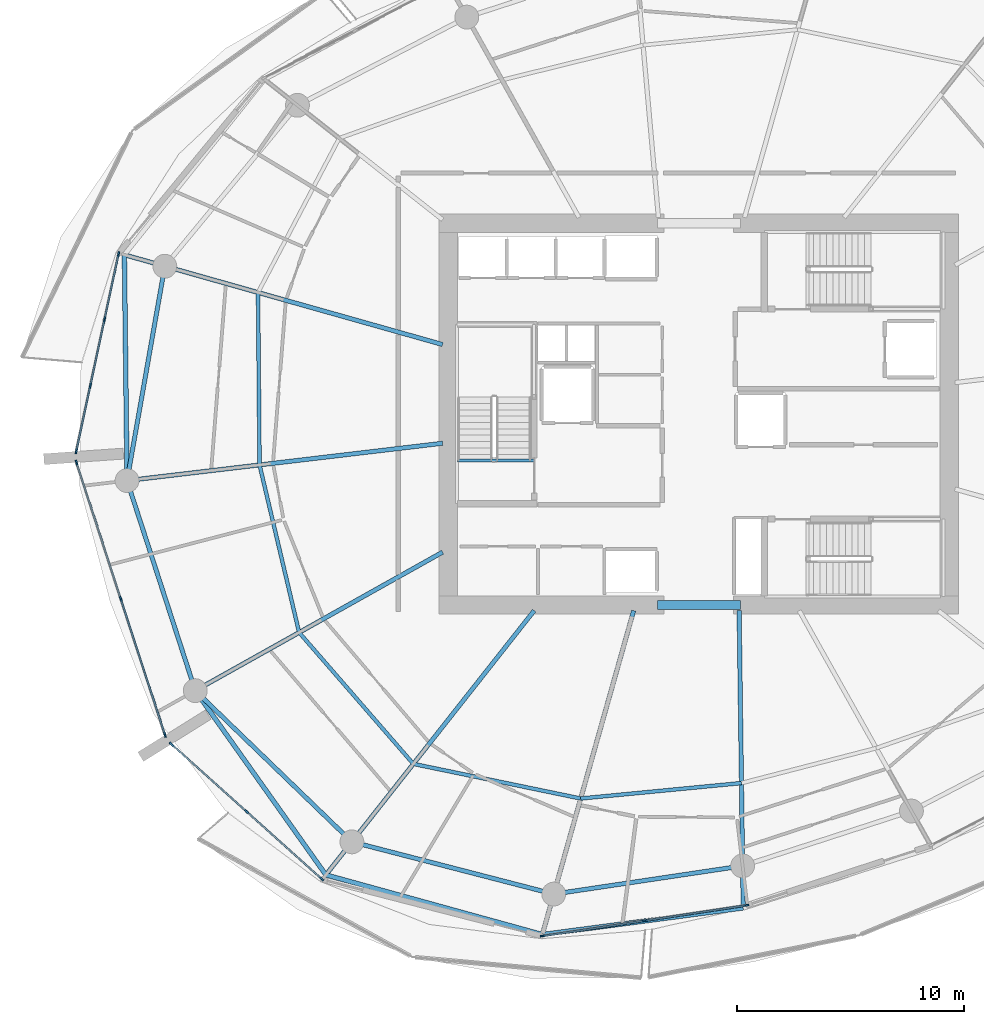
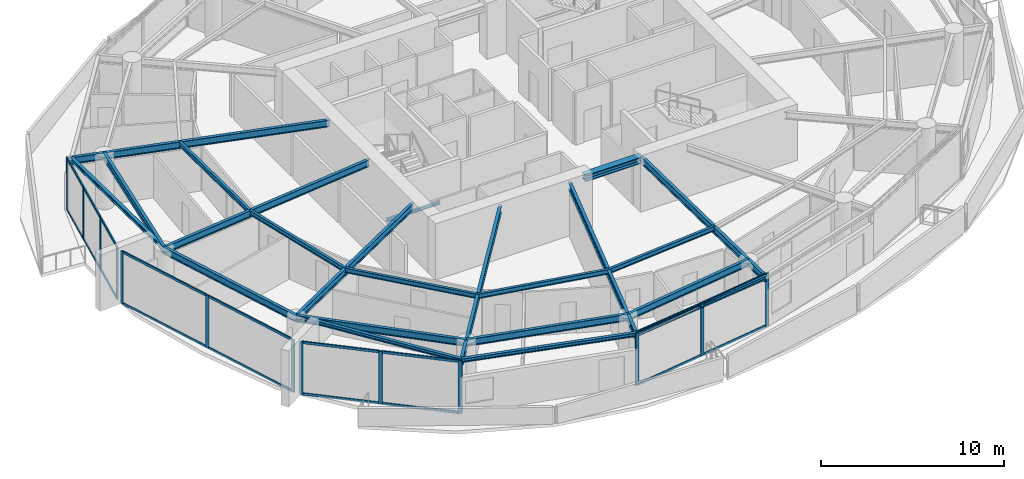
# One storey, part 5 of 20: 31 members, 22 beams, 4 elements without a shape of their own.
"""IFC4 building model written with IfcOpenShell, lengths in metres."""

from ifc_helpers import new_model, si_unit, direction, frame, origin, origin_2d, place, context, subcontext, project, spatial, rectangle, i_section, extrude, material, layer, layer_set, material_profile, profile_set, type_object, element, aggregate, save


model = new_model("IFC4")

# Units and contexts
model_context = context("Model", 3, precision=1e-05, world=origin(), true_north=direction((0.0, 1.0)))
body_context = subcontext(model_context, "Body", "Model", "MODEL_VIEW")
ifc_project = project(units=[si_unit("LENGTHUNIT", "METRE"), si_unit("AREAUNIT", "SQUARE_METRE"), si_unit("VOLUMEUNIT", "CUBIC_METRE"), si_unit("PLANEANGLEUNIT", "RADIAN"), si_unit("MASSUNIT", "GRAM", prefix="KILO")], contexts=[model_context])

# Site, building, storey
site_placement = place(None, origin())
site = spatial("IfcSite", under=ifc_project, at=site_placement, CompositionType="ELEMENT")
building_placement = place(site_placement, origin())
building = spatial("IfcBuilding", under=site, at=building_placement, Name="Kazma Halo Residences", CompositionType="ELEMENT")
storey_placement = place(building_placement, frame((0.0, 0.0, 165.300048828125)))
storey = spatial("IfcBuildingStorey", under=building, at=storey_placement, Name="L41", CompositionType="ELEMENT", Elevation=165.300048828125)

# Beams
ifc_material_1 = material(Name="Steel S355", Category="steel")
ifc_material_profile_1 = material_profile(ifc_material_1, i_section(OverallWidth=0.201904296875, OverallDepth=0.2470703125, WebThickness=0.00732421875, FlangeThickness=0.010986328125, FilletRadius=0.011962890625, at=origin_2d()), Name="W250x49.1")
ifc_profile_set_1 = profile_set([ifc_material_profile_1], Name="Steel S355")
beam_type_1 = type_object("IfcBeamType", Name="BM-BAL-CANT", PredefinedType="BEAM", material=ifc_profile_set_1)
beam_1_placement = place(storey_placement, frame((23.149658203125, 49.008544921875, 3.37646484375), z_axis=(0.011793371143, -0.99993045578, 0.0), x_axis=(0.99993045578, 0.011793371143, 0.0)))
element("IfcBeam", 1, at=beam_1_placement, inside=storey, type_object=beam_type_1, Name="L41 wave-balcony tie beam 07", PredefinedType="BEAM", context=body_context, shape_type="SweptSolid", body=[
    extrude(i_section(OverallWidth=0.201904296875, OverallDepth=0.2470703125, WebThickness=0.00732421875, FlangeThickness=0.010986328125, FilletRadius=0.011962890625, at=origin_2d()), origin(), (0.0, 0.0, 1.0), 9.936767578125),
])
beam_2_placement = place(storey_placement, frame((26.269775390625, 29.83056640625, 3.37646484375), z_axis=(0.578203432081, -0.81589263456, 0.0), x_axis=(0.81589263456, 0.578203432081, 0.0)))
element("IfcBeam", 2, at=beam_2_placement, inside=storey, type_object=beam_type_1, Name="L41 wave-balcony lead tie beam 09", PredefinedType="BEAM", context=body_context, shape_type="SweptSolid", body=[
    extrude(i_section(OverallWidth=0.201904296875, OverallDepth=0.2470703125, WebThickness=0.00732421875, FlangeThickness=0.010986328125, FilletRadius=0.011962890625, at=origin_2d()), origin(), (0.0, 0.0, 1.0), 9.9365234375),
])
beam_3_placement = place(storey_placement, frame((32.01513671875, 21.723388671875, 3.37646484375), z_axis=(0.964045237638, -0.265738179019, 0.0), x_axis=(0.265738179019, 0.964045237638, 0.0)))
element("IfcBeam", 3, at=beam_3_placement, inside=storey, type_object=beam_type_1, Name="L41 wave-balcony tie beam 10", PredefinedType="BEAM", context=body_context, shape_type="SweptSolid", body=[
    extrude(i_section(OverallWidth=0.201904296875, OverallDepth=0.2470703125, WebThickness=0.00732421875, FlangeThickness=0.010986328125, FilletRadius=0.011962890625, at=origin_2d()), origin(), (0.0, 0.0, 1.0), 9.880859375),
])
beam_4_placement = place(storey_placement, frame((41.540771484375, 19.09765625, 3.37646484375), z_axis=(0.991326402839, 0.13142284061, 0.0), x_axis=(-0.13142284061, 0.991326402839, 0.0)))
element("IfcBeam", 4, at=beam_4_placement, inside=storey, type_object=beam_type_1, Name="L41 wave-balcony tie beam 11", PredefinedType="BEAM", context=body_context, shape_type="SweptSolid", body=[
    extrude(i_section(OverallWidth=0.201904296875, OverallDepth=0.2470703125, WebThickness=0.00732421875, FlangeThickness=0.010986328125, FilletRadius=0.011962890625, at=origin_2d()), origin(), (0.0, 0.0, 1.0), 8.9150390625),
])
ifc_material_profile_2 = material_profile(ifc_material_1, i_section(OverallWidth=0.408935546875, OverallDepth=0.425048828125, WebThickness=0.03271484375, FlangeThickness=0.052490234375, FilletRadius=0.02001953125, at=origin_2d()), Name="W360x421")
ifc_profile_set_2 = profile_set([ifc_material_profile_2], Name="Steel S355")
beam_type_2 = type_object("IfcBeamType", Name="BM-CORE-W360H", PredefinedType="BEAM", material=ifc_profile_set_2)
beam_5_placement = place(storey_placement, frame((46.60009765625, 33.60009765625, 3.287353515625), z_axis=(1.0, 0.0, 0.0), x_axis=(0.0, 1.0, 0.0)))
element("IfcBeam", 5, at=beam_5_placement, inside=storey, type_object=beam_type_2, Name="L41 core coupling beam S", PredefinedType="BEAM", context=body_context, shape_type="SweptSolid", body=[
    extrude(i_section(OverallWidth=0.408935546875, OverallDepth=0.425048828125, WebThickness=0.03271484375, FlangeThickness=0.052490234375, FilletRadius=0.02001953125, at=origin_2d()), origin(), (0.0, 0.0, 1.0), 3.64990234375),
])
ifc_material_profile_3 = material_profile(ifc_material_1, i_section(OverallWidth=0.18994140625, OverallDepth=0.45703125, WebThickness=0.009033203125, FlangeThickness=0.014404296875, FilletRadius=0.01611328125, at=origin_2d()), Name="W460x74")
ifc_profile_set_3 = profile_set([ifc_material_profile_3], Name="Steel S355")
beam_type_3 = type_object("IfcBeamType", Name="BM-RAD-W460", PredefinedType="BEAM", material=ifc_profile_set_3)
beam_6_placement = place(storey_placement, frame((37.14990234375, 45.06005859375, 3.271484375), z_axis=(-0.962455072712, 0.271441030447, 0.0), x_axis=(-0.271441030447, -0.962455072712, 0.0)))
element("IfcBeam", 6, at=beam_6_placement, inside=storey, type_object=beam_type_3, Name="L41 radial floor beam 07", PredefinedType="BEAM", context=body_context, shape_type="SweptSolid", body=[
    extrude(i_section(OverallWidth=0.18994140625, OverallDepth=0.45703125, WebThickness=0.009033203125, FlangeThickness=0.014404296875, FilletRadius=0.01611328125, at=origin_2d()), origin(), (0.0, 0.0, 1.0), 14.54638671875),
])
beam_7_placement = place(storey_placement, frame((37.14990234375, 40.7158203125, 3.271484375), z_axis=(-0.993067267044, -0.117547450531, 0.0), x_axis=(0.117547450531, -0.993067267044, 0.0)))
element("IfcBeam", 7, at=beam_7_placement, inside=storey, type_object=beam_type_3, Name="L41 radial floor beam 08", PredefinedType="BEAM", context=body_context, shape_type="SweptSolid", body=[
    extrude(i_section(OverallWidth=0.18994140625, OverallDepth=0.45703125, WebThickness=0.009033203125, FlangeThickness=0.014404296875, FilletRadius=0.01611328125, at=origin_2d()), origin(), (0.0, 0.0, 1.0), 13.97998046875),
])
beam_8_placement = place(storey_placement, frame((37.14990234375, 35.923583984375, 3.271484375), z_axis=(-0.87250100809, -0.488612311431, 0.0), x_axis=(0.488612311431, -0.87250100809, 0.0)))
element("IfcBeam", 8, at=beam_8_placement, inside=storey, type_object=beam_type_3, Name="L41 radial floor beam 09", PredefinedType="BEAM", context=body_context, shape_type="SweptSolid", body=[
    extrude(i_section(OverallWidth=0.18994140625, OverallDepth=0.45703125, WebThickness=0.009033203125, FlangeThickness=0.014404296875, FilletRadius=0.01611328125, at=origin_2d()), origin(), (0.0, 0.0, 1.0), 12.469970703125),
])
beam_9_placement = place(storey_placement, frame((41.180908203125, 33.35009765625, 3.271484375), z_axis=(-0.619094498239, -0.785316498139, 0.0), x_axis=(0.785316498139, -0.619094498239, 0.0)))
element("IfcBeam", 9, at=beam_9_placement, inside=storey, type_object=beam_type_3, Name="L41 radial floor beam 10", PredefinedType="BEAM", context=body_context, shape_type="SweptSolid", body=[
    extrude(i_section(OverallWidth=0.18994140625, OverallDepth=0.45703125, WebThickness=0.009033203125, FlangeThickness=0.014404296875, FilletRadius=0.01611328125, at=origin_2d()), origin(), (0.0, 0.0, 1.0), 14.80517578125),
])
beam_10_placement = place(storey_placement, frame((45.560302734375, 33.35009765625, 3.271484375), z_axis=(-0.271435886816, -0.962456523355, 0.0), x_axis=(0.962456523355, -0.271435886816, 0.0)))
element("IfcBeam", 10, at=beam_10_placement, inside=storey, type_object=beam_type_3, Name="L41 radial floor beam 11", PredefinedType="BEAM", context=body_context, shape_type="SweptSolid", body=[
    extrude(i_section(OverallWidth=0.18994140625, OverallDepth=0.45703125, WebThickness=0.009033203125, FlangeThickness=0.014404296875, FilletRadius=0.01611328125, at=origin_2d()), origin(), (0.0, 0.0, 1.0), 14.808349609375),
])
beam_11_placement = place(storey_placement, frame((50.199951171875, 33.35009765625, 3.271484375), z_axis=(0.013642135434, -0.99990694174, 0.0), x_axis=(0.99990694174, 0.013642135434, 0.0)))
element("IfcBeam", 11, at=beam_11_placement, inside=storey, type_object=beam_type_3, Name="L41 radial floor beam 12", PredefinedType="BEAM", context=body_context, shape_type="SweptSolid", body=[
    extrude(i_section(OverallWidth=0.18994140625, OverallDepth=0.45703125, WebThickness=0.009033203125, FlangeThickness=0.014404296875, FilletRadius=0.01611328125, at=origin_2d()), origin(), (0.0, 0.0, 1.0), 13.08203125),
])
ifc_material_profile_4 = material_profile(ifc_material_1, i_section(OverallWidth=0.1650390625, OverallDepth=0.31005859375, WebThickness=0.005859375, FlangeThickness=0.009765625, FilletRadius=0.011962890625, at=origin_2d()), Name="W310x38.7")
ifc_profile_set_4 = profile_set([ifc_material_profile_4], Name="Steel S355")
beam_type_4 = type_object("IfcBeamType", Name="BM-SEC-W310B", PredefinedType="JOIST", material=ifc_profile_set_4)
beam_12_placement = place(storey_placement, frame((29.02978515625, 47.35009765625, 3.344970703125), z_axis=(0.008944876706, -0.99995999379, 0.0), x_axis=(0.99995999379, 0.008944876706, 0.0)))
element("IfcBeam", 12, at=beam_12_placement, inside=storey, type_object=beam_type_4, Name="L41 circumferential floor joist 07", PredefinedType="JOIST", context=body_context, shape_type="SweptSolid", body=[
    extrude(i_section(OverallWidth=0.1650390625, OverallDepth=0.31005859375, WebThickness=0.005859375, FlangeThickness=0.009765625, FilletRadius=0.011962890625, at=origin_2d()), origin(), (0.0, 0.0, 1.0), 7.587646484375),
])
beam_13_placement = place(storey_placement, frame((29.09765625, 39.7626953125, 3.344970703125), z_axis=(0.229897820601, -0.973214771817, 0.0), x_axis=(0.973214771817, 0.229897820601, 0.0)))
element("IfcBeam", 13, at=beam_13_placement, inside=storey, type_object=beam_type_4, Name="L41 circumferential floor joist 08", PredefinedType="JOIST", context=body_context, shape_type="SweptSolid", body=[
    extrude(i_section(OverallWidth=0.1650390625, OverallDepth=0.31005859375, WebThickness=0.005859375, FlangeThickness=0.009765625, FilletRadius=0.011962890625, at=origin_2d()), origin(), (0.0, 0.0, 1.0), 7.575927734375),
])
beam_14_placement = place(storey_placement, frame((30.83935546875, 32.3896484375, 3.344970703125), z_axis=(0.655935687589, -0.754816781575, 0.0), x_axis=(0.754816781575, 0.655935687589, 0.0)))
element("IfcBeam", 14, at=beam_14_placement, inside=storey, type_object=beam_type_4, Name="L41 circumferential floor joist 09", PredefinedType="JOIST", context=body_context, shape_type="SweptSolid", body=[
    extrude(i_section(OverallWidth=0.1650390625, OverallDepth=0.31005859375, WebThickness=0.005859375, FlangeThickness=0.009765625, FilletRadius=0.011962890625, at=origin_2d()), origin(), (0.0, 0.0, 1.0), 7.661376953125),
])
beam_15_placement = place(storey_placement, frame((35.86474609375, 26.606689453125, 3.344970703125), z_axis=(0.979272189631, -0.202548706773, 0.0), x_axis=(0.202548706773, 0.979272189631, 0.0)))
element("IfcBeam", 15, at=beam_15_placement, inside=storey, type_object=beam_type_4, Name="L41 circumferential floor joist 10", PredefinedType="JOIST", context=body_context, shape_type="SweptSolid", body=[
    extrude(i_section(OverallWidth=0.1650390625, OverallDepth=0.31005859375, WebThickness=0.005859375, FlangeThickness=0.009765625, FilletRadius=0.011962890625, at=origin_2d()), origin(), (0.0, 0.0, 1.0), 7.52001953125),
])
beam_16_placement = place(storey_placement, frame((43.22900390625, 25.08349609375, 3.344970703125), z_axis=(0.995416389983, 0.095635822539, 0.0), x_axis=(-0.095635822539, 0.995416389983, 0.0)))
element("IfcBeam", 16, at=beam_16_placement, inside=storey, type_object=beam_type_4, Name="L41 circumferential floor joist 11", PredefinedType="JOIST", context=body_context, shape_type="SweptSolid", body=[
    extrude(i_section(OverallWidth=0.1650390625, OverallDepth=0.31005859375, WebThickness=0.005859375, FlangeThickness=0.009765625, FilletRadius=0.011962890625, at=origin_2d()), origin(), (0.0, 0.0, 1.0), 7.10693359375),
])
ifc_material_profile_5 = material_profile(ifc_material_1, i_section(OverallWidth=0.18994140625, OverallDepth=0.45703125, WebThickness=0.009033203125, FlangeThickness=0.014404296875, FilletRadius=0.01611328125, at=origin_2d()), Name="W460x74")
ifc_profile_set_5 = profile_set([ifc_material_profile_5], Name="Steel S355")
beam_type_5 = type_object("IfcBeamType", Name="BM-SPN-W460", PredefinedType="BEAM", material=ifc_profile_set_5)
beam_17_placement = place(storey_placement, frame((24.93017578125, 48.50634765625, 3.271484375), z_axis=(-0.173637033425, -0.984809717978, 0.0), x_axis=(0.984809717978, -0.173637033425, 0.0)))
element("IfcBeam", 17, at=beam_17_placement, inside=storey, type_object=beam_type_5, Name="L41 perimeter ring beam 07", PredefinedType="BEAM", context=body_context, shape_type="SweptSolid", body=[
    extrude(i_section(OverallWidth=0.18994140625, OverallDepth=0.45703125, WebThickness=0.009033203125, FlangeThickness=0.014404296875, FilletRadius=0.01611328125, at=origin_2d()), origin(), (0.0, 0.0, 1.0), 9.579345703125),
])
beam_18_placement = place(storey_placement, frame((23.266845703125, 39.072509765625, 3.271484375), z_axis=(0.309020741629, -0.95105529873, 0.0), x_axis=(0.95105529873, 0.309020741629, 0.0)))
element("IfcBeam", 18, at=beam_18_placement, inside=storey, type_object=beam_type_5, Name="L41 perimeter ring beam 08", PredefinedType="BEAM", context=body_context, shape_type="SweptSolid", body=[
    extrude(i_section(OverallWidth=0.18994140625, OverallDepth=0.45703125, WebThickness=0.009033203125, FlangeThickness=0.014404296875, FilletRadius=0.01611328125, at=origin_2d()), origin(), (0.0, 0.0, 1.0), 9.717529296875),
])
beam_19_placement = place(storey_placement, frame((26.269775390625, 29.83056640625, 3.271484375), z_axis=(0.719334705845, -0.694663645923, 0.0), x_axis=(0.694663645923, 0.719334705845, 0.0)))
element("IfcBeam", 19, at=beam_19_placement, inside=storey, type_object=beam_type_5, Name="L41 perimeter ring beam 09", PredefinedType="BEAM", context=body_context, shape_type="SweptSolid", body=[
    extrude(i_section(OverallWidth=0.18994140625, OverallDepth=0.45703125, WebThickness=0.009033203125, FlangeThickness=0.014404296875, FilletRadius=0.01611328125, at=origin_2d()), origin(), (0.0, 0.0, 1.0), 9.5791015625),
])
beam_20_placement = place(storey_placement, frame((33.160400390625, 23.17626953125, 3.271484375), z_axis=(0.968123664213, -0.250472694699, 0.0), x_axis=(0.250472694699, 0.968123664213, 0.0)))
element("IfcBeam", 20, at=beam_20_placement, inside=storey, type_object=beam_type_5, Name="L41 perimeter ring beam 10", PredefinedType="BEAM", context=body_context, shape_type="SweptSolid", body=[
    extrude(i_section(OverallWidth=0.18994140625, OverallDepth=0.45703125, WebThickness=0.009033203125, FlangeThickness=0.014404296875, FilletRadius=0.01611328125, at=origin_2d()), origin(), (0.0, 0.0, 1.0), 9.175048828125),
])
beam_21_placement = place(storey_placement, frame((42.04296875, 20.878173828125, 3.271484375), z_axis=(0.989037147603, 0.147666924735, 0.0), x_axis=(-0.147666924735, 0.989037147603, 0.0)))
element("IfcBeam", 21, at=beam_21_placement, inside=storey, type_object=beam_type_5, Name="L41 perimeter ring beam 11", PredefinedType="BEAM", context=body_context, shape_type="SweptSolid", body=[
    extrude(i_section(OverallWidth=0.18994140625, OverallDepth=0.45703125, WebThickness=0.009033203125, FlangeThickness=0.014404296875, FilletRadius=0.01611328125, at=origin_2d()), origin(), (0.0, 0.0, 1.0), 8.402099609375),
])
ifc_material_profile_6 = material_profile(ifc_material_1, i_section(OverallWidth=0.133056640625, OverallDepth=0.20703125, WebThickness=0.005859375, FlangeThickness=0.00830078125, FilletRadius=0.010009765625, at=origin_2d()), Name="W200x26.6")
ifc_profile_set_6 = profile_set([ifc_material_profile_6], Name="Steel S355")
beam_type_6 = type_object("IfcBeamType", Name="BM-TRIM-W200", PredefinedType="BEAM", material=ifc_profile_set_6)
beam_22_placement = place(storey_placement, frame((37.800048828125, 39.949951171875, -0.360107421875), z_axis=(1.0, 0.0, 0.0), x_axis=(0.0, 1.0, 0.0)))
element("IfcBeam", 22, at=beam_22_placement, inside=storey, type_object=beam_type_6, Name="L41 ST-01 floor landing support beam", PredefinedType="BEAM", context=body_context, shape_type="SweptSolid", body=[
    extrude(i_section(OverallWidth=0.133056640625, OverallDepth=0.20703125, WebThickness=0.005859375, FlangeThickness=0.00830078125, FilletRadius=0.010009765625, at=origin_2d()), origin(), (0.0, 0.0, 1.0), 3.3798828125),
])

# Curtain wall, members
ifc_material_2 = material(Name="Aluminium AW-6063 T6 and Triple-Silver Low-E Glass", Category="aluminium")
ifc_layer = layer(ifc_material_2, 0.219970703125)
ifc_layer_set = layer_set([ifc_layer], Name="Aluminium AW-6063 T6 and Triple-Silver Low-E Glass")
curtain_wall_type = type_object("IfcCurtainWallType", Name="CW-SYS-4", PredefinedType="NOTDEFINED", material=ifc_layer_set)
curtain_wall_1_placement = place(storey_placement, origin())
curtain_wall_1 = element("IfcCurtainWall", 23, at=curtain_wall_1_placement, inside=storey, type_object=curtain_wall_type, Name="L41 unitised curtain wall B07", PredefinedType="NOTDEFINED")
ifc_material_3 = material(Name="Aluminium AW-6063 T6", Category="aluminium")
ifc_material_profile_7 = material_profile(ifc_material_3, rectangle(XDim=0.074951171875, YDim=0.219970703125, at=origin_2d()), Name="CWM-75x220")
ifc_profile_set_7 = profile_set([ifc_material_profile_7], Name="Aluminium AW-6063 T6")
member_type_1 = type_object("IfcMemberType", Name="CW-SYS-4-MUL", PredefinedType="MULLION", material=ifc_profile_set_7)
member_1_placement = place(storey_placement, frame((22.894775390625, 49.04150390625, 0.0), z_axis=(0.0, 0.0, 1.0), x_axis=(0.977764957684, -0.209703809037, 0.0)))
member_1 = element("IfcMember", 24, at=member_1_placement, type_object=member_type_1, Name="CWS-4 mullion 1", PredefinedType="MULLION", context=body_context, shape_type="SweptSolid", body=[
    extrude(rectangle(XDim=0.074951171875, YDim=0.219970703125, at=origin_2d()), origin(), (0.0, 0.0, 1.0), 3.5),
])
member_2_placement = place(storey_placement, frame((22.27685546875, 46.160888671875, 0.0), z_axis=(0.0, 0.0, 1.0), x_axis=(0.977764957684, -0.209703809037, 0.0)))
member_2 = element("IfcMember", 25, at=member_2_placement, type_object=member_type_1, Name="CWS-4 mullion 2", PredefinedType="MULLION", context=body_context, shape_type="SweptSolid", body=[
    extrude(rectangle(XDim=0.074951171875, YDim=0.219970703125, at=origin_2d()), origin(), (0.0, 0.0, 1.0), 3.5),
])
member_3_placement = place(storey_placement, frame((21.6513671875, 43.24365234375, 0.0), z_axis=(0.0, 0.0, 1.0), x_axis=(0.977764957684, -0.209703809037, 0.0)))
member_3 = element("IfcMember", 26, at=member_3_placement, type_object=member_type_1, Name="CWS-4 mullion 3", PredefinedType="MULLION", context=body_context, shape_type="SweptSolid", body=[
    extrude(rectangle(XDim=0.074951171875, YDim=0.219970703125, at=origin_2d()), origin(), (0.0, 0.0, 1.0), 3.5),
])
member_4_placement = place(storey_placement, frame((21.033447265625, 40.36328125, 0.0), z_axis=(0.0, 0.0, 1.0), x_axis=(0.977764957684, -0.209703809037, 0.0)))
member_4 = element("IfcMember", 27, at=member_4_placement, type_object=member_type_1, Name="CWS-4 mullion 4", PredefinedType="MULLION", context=body_context, shape_type="SweptSolid", body=[
    extrude(rectangle(XDim=0.074951171875, YDim=0.219970703125, at=origin_2d()), origin(), (0.0, 0.0, 1.0), 3.5),
])

curtain_wall_2_placement = place(storey_placement, origin())
curtain_wall_2 = element("IfcCurtainWall", 28, at=curtain_wall_2_placement, inside=storey, type_object=curtain_wall_type, Name="L41 unitised curtain wall B08", PredefinedType="NOTDEFINED")
member_5_placement = place(storey_placement, frame((21.044189453125, 39.86572265625, 0.0), z_axis=(0.0, 0.0, 1.0), x_axis=(0.951057547609, 0.3090138203, 0.0)))
member_5 = element("IfcMember", 29, at=member_5_placement, type_object=member_type_1, Name="CWS-4 mullion 1", PredefinedType="MULLION", context=body_context, shape_type="SweptSolid", body=[
    extrude(rectangle(XDim=0.074951171875, YDim=0.219970703125, at=origin_2d()), origin(), (0.0, 0.0, 1.0), 3.5),
])
member_6_placement = place(storey_placement, frame((22.990966796875, 33.8740234375, 0.0), z_axis=(0.0, 0.0, 1.0), x_axis=(0.951057547609, 0.3090138203, 0.0)))
member_6 = element("IfcMember", 30, at=member_6_placement, type_object=member_type_1, Name="CWS-4 mullion 2", PredefinedType="MULLION", context=body_context, shape_type="SweptSolid", body=[
    extrude(rectangle(XDim=0.074951171875, YDim=0.219970703125, at=origin_2d()), origin(), (0.0, 0.0, 1.0), 3.5),
])
member_7_placement = place(storey_placement, frame((24.937744140625, 27.882568359375, 0.0), z_axis=(0.0, 0.0, 1.0), x_axis=(0.951057547609, 0.3090138203, 0.0)))
member_7 = element("IfcMember", 31, at=member_7_placement, type_object=member_type_1, Name="CWS-4 mullion 3", PredefinedType="MULLION", context=body_context, shape_type="SweptSolid", body=[
    extrude(rectangle(XDim=0.074951171875, YDim=0.219970703125, at=origin_2d()), origin(), (0.0, 0.0, 1.0), 3.5),
])

curtain_wall_3_placement = place(storey_placement, origin())
curtain_wall_3 = element("IfcCurtainWall", 32, at=curtain_wall_3_placement, inside=storey, type_object=curtain_wall_type, Name="L41 unitised curtain wall B09", PredefinedType="NOTDEFINED")
member_8_placement = place(storey_placement, frame((25.221435546875, 27.4736328125, 0.0), z_axis=(0.0, 0.0, 1.0), x_axis=(0.667770096247, 0.744367582957, 0.0)))
member_8 = element("IfcMember", 33, at=member_8_placement, type_object=member_type_1, Name="CWS-4 mullion 1", PredefinedType="MULLION", context=body_context, shape_type="SweptSolid", body=[
    extrude(rectangle(XDim=0.074951171875, YDim=0.219970703125, at=origin_2d()), origin(), (0.0, 0.0, 1.0), 3.5),
])
member_9_placement = place(storey_placement, frame((28.52490234375, 24.51025390625, 0.0), z_axis=(0.0, 0.0, 1.0), x_axis=(0.667770096247, 0.744367582957, 0.0)))
member_9 = element("IfcMember", 34, at=member_9_placement, type_object=member_type_1, Name="CWS-4 mullion 2", PredefinedType="MULLION", context=body_context, shape_type="SweptSolid", body=[
    extrude(rectangle(XDim=0.074951171875, YDim=0.219970703125, at=origin_2d()), origin(), (0.0, 0.0, 1.0), 3.5),
])
member_10_placement = place(storey_placement, frame((31.828369140625, 21.546630859375, 0.0), z_axis=(0.0, 0.0, 1.0), x_axis=(0.667770096247, 0.744367582957, 0.0)))
member_10 = element("IfcMember", 35, at=member_10_placement, type_object=member_type_1, Name="CWS-4 mullion 3", PredefinedType="MULLION", context=body_context, shape_type="SweptSolid", body=[
    extrude(rectangle(XDim=0.074951171875, YDim=0.219970703125, at=origin_2d()), origin(), (0.0, 0.0, 1.0), 3.5),
])

curtain_wall_4_placement = place(storey_placement, origin())
curtain_wall_4 = element("IfcCurtainWall", 36, at=curtain_wall_4_placement, inside=storey, type_object=curtain_wall_type, Name="L41 unitised curtain wall B11", PredefinedType="NOTDEFINED")
member_11_placement = place(storey_placement, frame((41.559326171875, 19.037109375, 0.0), z_axis=(0.0, 0.0, 1.0), x_axis=(-0.148821022686, 0.988864148004, 0.0)))
member_11 = element("IfcMember", 37, at=member_11_placement, type_object=member_type_1, Name="CWS-4 mullion 1", PredefinedType="MULLION", context=body_context, shape_type="SweptSolid", body=[
    extrude(rectangle(XDim=0.074951171875, YDim=0.219970703125, at=origin_2d()), origin(), (0.0, 0.0, 1.0), 3.5),
])
member_12_placement = place(storey_placement, frame((46.039794921875, 19.71142578125, 0.0), z_axis=(0.0, 0.0, 1.0), x_axis=(-0.148821022686, 0.988864148004, 0.0)))
member_12 = element("IfcMember", 38, at=member_12_placement, type_object=member_type_1, Name="CWS-4 mullion 2", PredefinedType="MULLION", context=body_context, shape_type="SweptSolid", body=[
    extrude(rectangle(XDim=0.074951171875, YDim=0.219970703125, at=origin_2d()), origin(), (0.0, 0.0, 1.0), 3.5),
])
member_13_placement = place(storey_placement, frame((50.5205078125, 20.3857421875, 0.0), z_axis=(0.0, 0.0, 1.0), x_axis=(-0.148821022686, 0.988864148004, 0.0)))
member_13 = element("IfcMember", 39, at=member_13_placement, type_object=member_type_1, Name="CWS-4 mullion 3", PredefinedType="MULLION", context=body_context, shape_type="SweptSolid", body=[
    extrude(rectangle(XDim=0.074951171875, YDim=0.219970703125, at=origin_2d()), origin(), (0.0, 0.0, 1.0), 3.5),
])

# Member
ifc_material_profile_8 = material_profile(ifc_material_3, rectangle(XDim=0.074951171875, YDim=0.1650390625, at=origin_2d()), Name="CWT-75x165")
ifc_profile_set_8 = profile_set([ifc_material_profile_8], Name="Aluminium AW-6063 T6")
member_type_2 = type_object("IfcMemberType", Name="CW-SYS-4-TRN", PredefinedType="USERDEFINED", material=ifc_profile_set_8)
member_14_placement = place(storey_placement, frame((22.886962890625, 49.0048828125, 0.037353515625), z_axis=(-0.209703309269, -0.977765064871, 0.0), x_axis=(0.977765064871, -0.209703309269, 0.0)))
member_14 = element("IfcMember", 40, at=member_14_placement, type_object=member_type_2, Name="CWS-4 transom 1.1", ObjectType="TRANSOM", PredefinedType="USERDEFINED", context=body_context, shape_type="SweptSolid", body=[
    extrude(rectangle(XDim=0.074951171875, YDim=0.1650390625, at=origin_2d()), origin(), (0.0, 0.0, 1.0), 2.870849609375),
])

member_15_placement = place(storey_placement, frame((22.886962890625, 49.0048828125, 3.46240234375), z_axis=(-0.209703309269, -0.977765064871, 0.0), x_axis=(0.977765064871, -0.209703309269, 0.0)))
member_15 = element("IfcMember", 41, at=member_15_placement, type_object=member_type_2, Name="CWS-4 transom 1.2", ObjectType="TRANSOM", PredefinedType="USERDEFINED", context=body_context, shape_type="SweptSolid", body=[
    extrude(rectangle(XDim=0.074951171875, YDim=0.1650390625, at=origin_2d()), origin(), (0.0, 0.0, 1.0), 2.870849609375),
])

member_16_placement = place(storey_placement, frame((22.26904296875, 46.124267578125, 0.037353515625), z_axis=(-0.209689601293, -0.977768004748, 0.0), x_axis=(0.977768004748, -0.209689601293, 0.0)))
member_16 = element("IfcMember", 42, at=member_16_placement, type_object=member_type_2, Name="CWS-4 transom 2.1", ObjectType="TRANSOM", PredefinedType="USERDEFINED", context=body_context, shape_type="SweptSolid", body=[
    extrude(rectangle(XDim=0.074951171875, YDim=0.1650390625, at=origin_2d()), origin(), (0.0, 0.0, 1.0), 2.908447265625),
])

member_17_placement = place(storey_placement, frame((22.26904296875, 46.124267578125, 3.46240234375), z_axis=(-0.209689601293, -0.977768004748, 0.0), x_axis=(0.977768004748, -0.209689601293, 0.0)))
member_17 = element("IfcMember", 43, at=member_17_placement, type_object=member_type_2, Name="CWS-4 transom 2.2", ObjectType="TRANSOM", PredefinedType="USERDEFINED", context=body_context, shape_type="SweptSolid", body=[
    extrude(rectangle(XDim=0.074951171875, YDim=0.1650390625, at=origin_2d()), origin(), (0.0, 0.0, 1.0), 2.908447265625),
])

member_18_placement = place(storey_placement, frame((21.643310546875, 43.20703125, 0.037353515625), z_axis=(-0.209703309269, -0.977765064871, 0.0), x_axis=(0.977765064871, -0.209703309269, 0.0)))
member_18 = element("IfcMember", 44, at=member_18_placement, type_object=member_type_2, Name="CWS-4 transom 3.1", ObjectType="TRANSOM", PredefinedType="USERDEFINED", context=body_context, shape_type="SweptSolid", body=[
    extrude(rectangle(XDim=0.074951171875, YDim=0.1650390625, at=origin_2d()), origin(), (0.0, 0.0, 1.0), 2.870849609375),
])

member_19_placement = place(storey_placement, frame((21.643310546875, 43.20703125, 3.46240234375), z_axis=(-0.209703309269, -0.977765064871, 0.0), x_axis=(0.977765064871, -0.209703309269, 0.0)))
member_19 = element("IfcMember", 45, at=member_19_placement, type_object=member_type_2, Name="CWS-4 transom 3.2", ObjectType="TRANSOM", PredefinedType="USERDEFINED", context=body_context, shape_type="SweptSolid", body=[
    extrude(rectangle(XDim=0.074951171875, YDim=0.1650390625, at=origin_2d()), origin(), (0.0, 0.0, 1.0), 2.870849609375),
])

aggregate(curtain_wall_1, [member_1, member_2, member_3, member_4, member_14, member_15, member_16, member_17, member_18, member_19])

member_20_placement = place(storey_placement, frame((21.0556640625, 39.830078125, 0.037353515625), z_axis=(0.309006258762, -0.95106000444, 0.0), x_axis=(0.95106000444, 0.309006258762, 0.0)))
member_20 = element("IfcMember", 46, at=member_20_placement, type_object=member_type_2, Name="CWS-4 transom 1.1", ObjectType="TRANSOM", PredefinedType="USERDEFINED", context=body_context, shape_type="SweptSolid", body=[
    extrude(rectangle(XDim=0.074951171875, YDim=0.1650390625, at=origin_2d()), origin(), (0.0, 0.0, 1.0), 6.22509765625),
])

member_21_placement = place(storey_placement, frame((21.0556640625, 39.830078125, 3.46240234375), z_axis=(0.309006258762, -0.95106000444, 0.0), x_axis=(0.95106000444, 0.309006258762, 0.0)))
member_21 = element("IfcMember", 47, at=member_21_placement, type_object=member_type_2, Name="CWS-4 transom 1.2", ObjectType="TRANSOM", PredefinedType="USERDEFINED", context=body_context, shape_type="SweptSolid", body=[
    extrude(rectangle(XDim=0.074951171875, YDim=0.1650390625, at=origin_2d()), origin(), (0.0, 0.0, 1.0), 6.22509765625),
])

member_22_placement = place(storey_placement, frame((23.00244140625, 33.83837890625, 0.037353515625), z_axis=(0.309017784977, -0.951056259413, 0.0), x_axis=(0.951056259413, 0.309017784977, 0.0)))
member_22 = element("IfcMember", 48, at=member_22_placement, type_object=member_type_2, Name="CWS-4 transom 2.1", ObjectType="TRANSOM", PredefinedType="USERDEFINED", context=body_context, shape_type="SweptSolid", body=[
    extrude(rectangle(XDim=0.074951171875, YDim=0.1650390625, at=origin_2d()), origin(), (0.0, 0.0, 1.0), 6.224853515625),
])

member_23_placement = place(storey_placement, frame((23.00244140625, 33.83837890625, 3.46240234375), z_axis=(0.309017784977, -0.951056259413, 0.0), x_axis=(0.951056259413, 0.309017784977, 0.0)))
member_23 = element("IfcMember", 49, at=member_23_placement, type_object=member_type_2, Name="CWS-4 transom 2.2", ObjectType="TRANSOM", PredefinedType="USERDEFINED", context=body_context, shape_type="SweptSolid", body=[
    extrude(rectangle(XDim=0.074951171875, YDim=0.1650390625, at=origin_2d()), origin(), (0.0, 0.0, 1.0), 6.224853515625),
])

aggregate(curtain_wall_2, [member_5, member_6, member_7, member_20, member_21, member_22, member_23])

member_24_placement = place(storey_placement, frame((25.24951171875, 27.44873046875, 0.037353515625), z_axis=(0.744344978888, -0.66779529229, 0.0), x_axis=(0.66779529229, 0.744344978888, 0.0)))
member_24 = element("IfcMember", 50, at=member_24_placement, type_object=member_type_2, Name="CWS-4 transom 1.1", ObjectType="TRANSOM", PredefinedType="USERDEFINED", context=body_context, shape_type="SweptSolid", body=[
    extrude(rectangle(XDim=0.074951171875, YDim=0.1650390625, at=origin_2d()), origin(), (0.0, 0.0, 1.0), 4.363037109375),
])

member_25_placement = place(storey_placement, frame((25.24951171875, 27.44873046875, 3.46240234375), z_axis=(0.744344978888, -0.66779529229, 0.0), x_axis=(0.66779529229, 0.744344978888, 0.0)))
member_25 = element("IfcMember", 51, at=member_25_placement, type_object=member_type_2, Name="CWS-4 transom 1.2", ObjectType="TRANSOM", PredefinedType="USERDEFINED", context=body_context, shape_type="SweptSolid", body=[
    extrude(rectangle(XDim=0.074951171875, YDim=0.1650390625, at=origin_2d()), origin(), (0.0, 0.0, 1.0), 4.363037109375),
])

member_26_placement = place(storey_placement, frame((28.552734375, 24.485107421875, 0.037353515625), z_axis=(0.744372794017, -0.667764287401, 0.0), x_axis=(0.667764287401, 0.744372794017, 0.0)))
member_26 = element("IfcMember", 52, at=member_26_placement, type_object=member_type_2, Name="CWS-4 transom 2.1", ObjectType="TRANSOM", PredefinedType="USERDEFINED", context=body_context, shape_type="SweptSolid", body=[
    extrude(rectangle(XDim=0.074951171875, YDim=0.1650390625, at=origin_2d()), origin(), (0.0, 0.0, 1.0), 4.36279296875),
])

member_27_placement = place(storey_placement, frame((28.552734375, 24.485107421875, 3.46240234375), z_axis=(0.744372794017, -0.667764287401, 0.0), x_axis=(0.667764287401, 0.744372794017, 0.0)))
member_27 = element("IfcMember", 53, at=member_27_placement, type_object=member_type_2, Name="CWS-4 transom 2.2", ObjectType="TRANSOM", PredefinedType="USERDEFINED", context=body_context, shape_type="SweptSolid", body=[
    extrude(rectangle(XDim=0.074951171875, YDim=0.1650390625, at=origin_2d()), origin(), (0.0, 0.0, 1.0), 4.36279296875),
])

aggregate(curtain_wall_3, [member_8, member_9, member_10, member_24, member_25, member_26, member_27])

member_28_placement = place(storey_placement, frame((41.596435546875, 19.042724609375, 0.037353515625), z_axis=(0.988866721231, 0.148803923478, 0.0), x_axis=(-0.148803923478, 0.988866721231, 0.0)))
member_28 = element("IfcMember", 54, at=member_28_placement, type_object=member_type_2, Name="CWS-4 transom 1.1", ObjectType="TRANSOM", PredefinedType="USERDEFINED", context=body_context, shape_type="SweptSolid", body=[
    extrude(rectangle(XDim=0.074951171875, YDim=0.1650390625, at=origin_2d()), origin(), (0.0, 0.0, 1.0), 4.4560546875),
])

member_29_placement = place(storey_placement, frame((41.596435546875, 19.042724609375, 3.46240234375), z_axis=(0.988866721231, 0.148803923478, 0.0), x_axis=(-0.148803923478, 0.988866721231, 0.0)))
member_29 = element("IfcMember", 55, at=member_29_placement, type_object=member_type_2, Name="CWS-4 transom 1.2", ObjectType="TRANSOM", PredefinedType="USERDEFINED", context=body_context, shape_type="SweptSolid", body=[
    extrude(rectangle(XDim=0.074951171875, YDim=0.1650390625, at=origin_2d()), origin(), (0.0, 0.0, 1.0), 4.4560546875),
])

member_30_placement = place(storey_placement, frame((46.076904296875, 19.717041015625, 0.037353515625), z_axis=(0.988866721231, 0.148803923478, 0.0), x_axis=(-0.148803923478, 0.988866721231, 0.0)))
member_30 = element("IfcMember", 56, at=member_30_placement, type_object=member_type_2, Name="CWS-4 transom 2.1", ObjectType="TRANSOM", PredefinedType="USERDEFINED", context=body_context, shape_type="SweptSolid", body=[
    extrude(rectangle(XDim=0.074951171875, YDim=0.1650390625, at=origin_2d()), origin(), (0.0, 0.0, 1.0), 4.4560546875),
])

member_31_placement = place(storey_placement, frame((46.076904296875, 19.717041015625, 3.46240234375), z_axis=(0.988866721231, 0.148803923478, 0.0), x_axis=(-0.148803923478, 0.988866721231, 0.0)))
member_31 = element("IfcMember", 57, at=member_31_placement, type_object=member_type_2, Name="CWS-4 transom 2.2", ObjectType="TRANSOM", PredefinedType="USERDEFINED", context=body_context, shape_type="SweptSolid", body=[
    extrude(rectangle(XDim=0.074951171875, YDim=0.1650390625, at=origin_2d()), origin(), (0.0, 0.0, 1.0), 4.4560546875),
])

aggregate(curtain_wall_4, [member_11, member_12, member_13, member_28, member_29, member_30, member_31])

save(model, "model.ifc")
